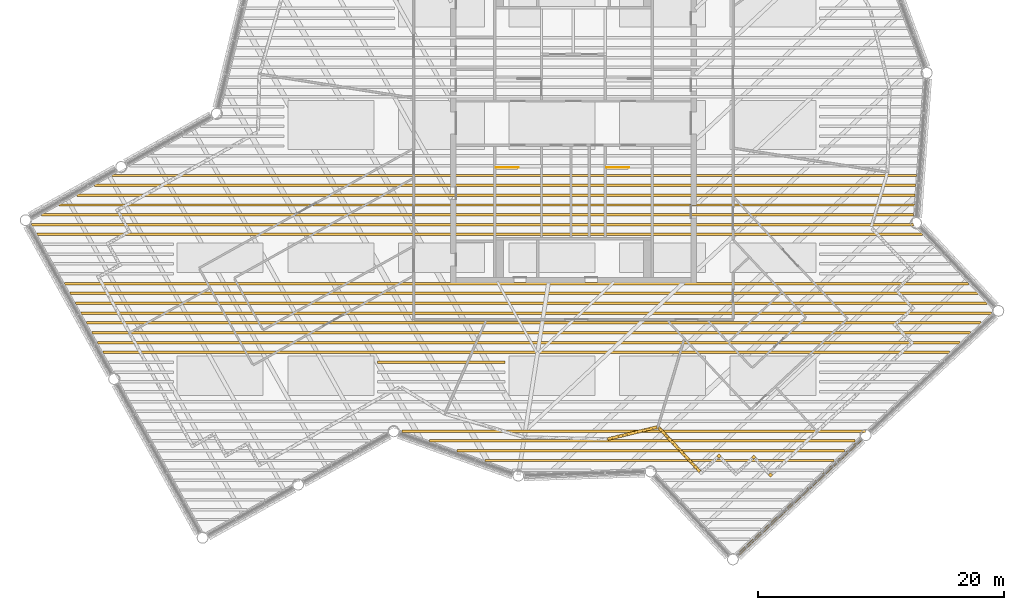
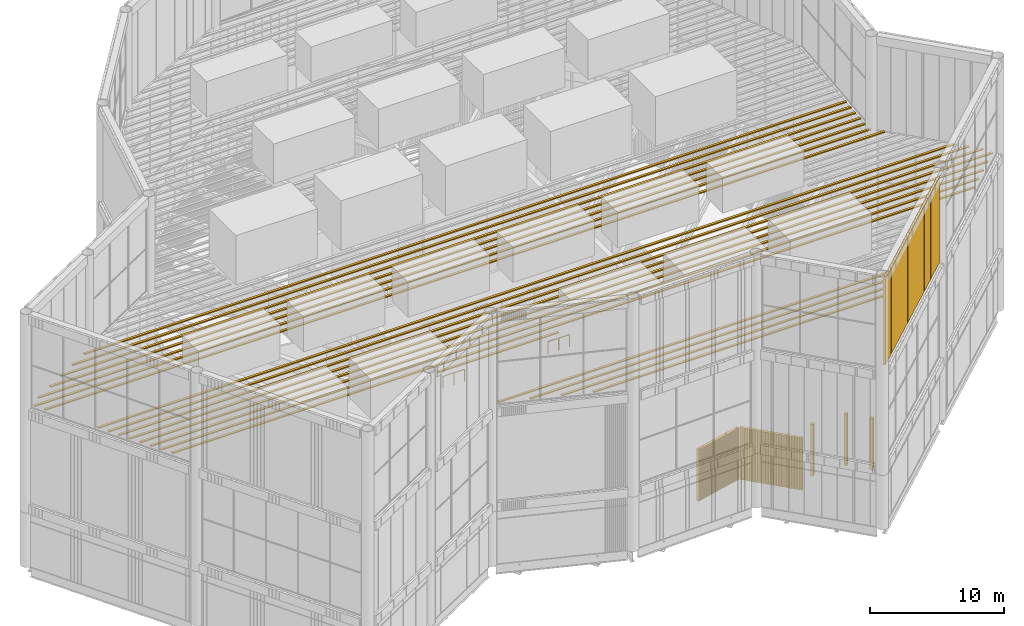
# One storey, part 98 of 117: 25 shading devices, 2 railings, 1 covering.
"""IFC4 building model written with IfcOpenShell, lengths in metres."""

from ifc_helpers import new_model, si_unit, direction, frame, frame_2d, origin, origin_2d, place, context, subcontext, project, spatial, rectangle, circle, composite_profile, extrude, material, type_object, element, save


model = new_model("IFC4")

# Units and contexts
model_context = context("Model", 3, precision=1e-05, world=origin(), true_north=direction((0.0, 1.0)))
body_context = subcontext(model_context, "Body", "Model", "MODEL_VIEW")
ifc_project = project(units=[si_unit("LENGTHUNIT", "METRE"), si_unit("AREAUNIT", "SQUARE_METRE"), si_unit("VOLUMEUNIT", "CUBIC_METRE"), si_unit("PLANEANGLEUNIT", "RADIAN"), si_unit("MASSUNIT", "GRAM", prefix="KILO")], contexts=[model_context])

# Site, building, storey
site_placement = place(None, origin())
site = spatial("IfcSite", under=ifc_project, at=site_placement, CompositionType="ELEMENT")
building_placement = place(site_placement, origin())
building = spatial("IfcBuilding", under=site, at=building_placement, Name="Tarsis Ring Headquarters", CompositionType="ELEMENT")
storey_placement = place(building_placement, frame((0.0, 0.0, 403.60009765625)))
storey = spatial("IfcBuildingStorey", under=building, at=storey_placement, Name="L95", CompositionType="ELEMENT", Elevation=403.60009765625)

# Railings
ifc_material_1 = material(Name="Steel S355", Category="steel")
railing_type = type_object("IfcRailingType", Name="Core stair guard 1100", PredefinedType="GUARDRAIL", material=ifc_material_1)
for number, where, name in (
    (1, (-6.300048828125, -3.610107421875, 0.0), "L95 ST3 top well guard 1"),
    (2, (2.699951171875, -3.610107421875, 0.0), "L95 ST4 top well guard 1"),
):
    element("IfcRailing", number, at=place(storey_placement, frame(where)), inside=storey, type_object=railing_type, Name=name, PredefinedType="GUARDRAIL", context=body_context, shape_type="SweptSolid", body=[
        extrude(circle(Radius=0.02392578125, at=origin_2d()), frame((0.0, 0.0, 1.076171875), z_axis=(1.0, 0.0, 0.0), x_axis=(0.0, 1.0, 0.0)), (0.0, 0.0, 1.0), 1.840087890625),
        extrude(circle(Radius=0.02099609375, at=origin_2d()), origin(), (0.0, 0.0, 1.0), 1.052001953125),
        extrude(circle(Radius=0.02099609375, at=origin_2d()), frame((0.919921875, 0.0, 0.0)), (0.0, 0.0, 1.0), 1.052001953125),
        extrude(circle(Radius=0.02099609375, at=origin_2d()), frame((1.840087890625, 0.0, 0.0)), (0.0, 0.0, 1.0), 1.052001953125),
    ])

# Covering
ifc_material_2 = material(Name="Terracotta louvre", Category="masonry")
covering_type = type_object("IfcCoveringType", Name="Crown louvre fin", PredefinedType="CLADDING", material=ifc_material_2)
covering_placement = place(storey_placement, frame((13.3173828125, -35.205078125, 14.39990234375), z_axis=(0.0, 0.0, 1.0), x_axis=(0.729925980625, 0.683527612216, 0.0)))
element("IfcCovering", 3, at=covering_placement, inside=storey, type_object=covering_type, Name="Crown louvre U3", PredefinedType="CLADDING", context=body_context, shape_type="SweptSolid", body=[
    extrude(composite_profile([rectangle(XDim=0.14501953125, YDim=0.199951171875, at=frame_2d((0.072509765625, 0.0))), rectangle(XDim=0.14501953125, YDim=0.199951171875, at=frame_2d((0.223388671875, 0.0))), rectangle(XDim=0.14501953125, YDim=0.199951171875, at=frame_2d((0.37451171875, 0.0))), rectangle(XDim=0.14501953125, YDim=0.199951171875, at=frame_2d((0.525390625, 0.0))), rectangle(XDim=0.14501953125, YDim=0.199951171875, at=frame_2d((0.676513671875, 0.0))), rectangle(XDim=0.14501953125, YDim=0.199951171875, at=frame_2d((0.827392578125, 0.0))), rectangle(XDim=0.14501953125, YDim=0.199951171875, at=frame_2d((0.978515625, 0.0))), rectangle(XDim=0.14501953125, YDim=0.199951171875, at=frame_2d((1.12939453125, 0.0))), rectangle(XDim=0.14501953125, YDim=0.199951171875, at=frame_2d((1.280517578125, 0.0))), rectangle(XDim=0.14501953125, YDim=0.199951171875, at=frame_2d((1.431396484375, 0.0))), rectangle(XDim=0.14501953125, YDim=0.199951171875, at=frame_2d((1.58251953125, 0.0))), rectangle(XDim=0.14501953125, YDim=0.199951171875, at=frame_2d((1.7333984375, 0.0))), rectangle(XDim=0.14501953125, YDim=0.199951171875, at=frame_2d((1.884521484375, 0.0))), rectangle(XDim=0.14501953125, YDim=0.199951171875, at=frame_2d((2.035400390625, 0.0))), rectangle(XDim=0.14501953125, YDim=0.199951171875, at=frame_2d((2.1865234375, 0.0))), rectangle(XDim=0.14501953125, YDim=0.199951171875, at=frame_2d((2.33740234375, 0.0))), rectangle(XDim=0.14501953125, YDim=0.199951171875, at=frame_2d((2.488525390625, 0.0))), rectangle(XDim=0.14501953125, YDim=0.199951171875, at=frame_2d((2.639404296875, 0.0))), rectangle(XDim=0.14501953125, YDim=0.199951171875, at=frame_2d((2.79052734375, 0.0))), rectangle(XDim=0.14501953125, YDim=0.199951171875, at=frame_2d((2.94140625, 0.0))), rectangle(XDim=0.14501953125, YDim=0.199951171875, at=frame_2d((3.092529296875, 0.0))), rectangle(XDim=0.14501953125, YDim=0.199951171875, at=frame_2d((3.243408203125, 0.0))), rectangle(XDim=0.14501953125, YDim=0.199951171875, at=frame_2d((3.39453125, 0.0))), rectangle(XDim=0.14501953125, YDim=0.199951171875, at=frame_2d((3.54541015625, 0.0))), rectangle(XDim=0.14501953125, YDim=0.199951171875, at=frame_2d((3.696533203125, 0.0))), rectangle(XDim=0.14501953125, YDim=0.199951171875, at=frame_2d((3.847412109375, 0.0))), rectangle(XDim=0.14501953125, YDim=0.199951171875, at=frame_2d((3.99853515625, 0.0))), rectangle(XDim=0.14501953125, YDim=0.199951171875, at=frame_2d((4.1494140625, 0.0))), rectangle(XDim=0.14501953125, YDim=0.199951171875, at=frame_2d((4.300537109375, 0.0))), rectangle(XDim=0.14501953125, YDim=0.199951171875, at=frame_2d((4.451416015625, 0.0))), rectangle(XDim=0.14501953125, YDim=0.199951171875, at=frame_2d((4.6025390625, 0.0))), rectangle(XDim=0.14501953125, YDim=0.199951171875, at=frame_2d((4.75341796875, 0.0))), rectangle(XDim=0.14501953125, YDim=0.199951171875, at=frame_2d((4.904541015625, 0.0))), rectangle(XDim=0.14501953125, YDim=0.199951171875, at=frame_2d((5.055419921875, 0.0))), rectangle(XDim=0.14501953125, YDim=0.199951171875, at=frame_2d((5.20654296875, 0.0))), rectangle(XDim=0.14501953125, YDim=0.199951171875, at=frame_2d((5.357421875, 0.0))), rectangle(XDim=0.14501953125, YDim=0.199951171875, at=frame_2d((5.508544921875, 0.0))), rectangle(XDim=0.14501953125, YDim=0.199951171875, at=frame_2d((5.659423828125, 0.0))), rectangle(XDim=0.14501953125, YDim=0.199951171875, at=frame_2d((5.810546875, 0.0))), rectangle(XDim=0.14501953125, YDim=0.199951171875, at=frame_2d((5.96142578125, 0.0))), rectangle(XDim=0.14501953125, YDim=0.199951171875, at=frame_2d((6.112548828125, 0.0))), rectangle(XDim=0.14501953125, YDim=0.199951171875, at=frame_2d((6.263427734375, 0.0))), rectangle(XDim=0.14501953125, YDim=0.199951171875, at=frame_2d((6.41455078125, 0.0))), rectangle(XDim=0.14501953125, YDim=0.199951171875, at=frame_2d((6.5654296875, 0.0))), rectangle(XDim=0.14501953125, YDim=0.199951171875, at=frame_2d((6.716552734375, 0.0))), rectangle(XDim=0.14501953125, YDim=0.199951171875, at=frame_2d((6.867431640625, 0.0))), rectangle(XDim=0.14501953125, YDim=0.199951171875, at=frame_2d((7.0185546875, 0.0))), rectangle(XDim=0.14501953125, YDim=0.199951171875, at=frame_2d((7.16943359375, 0.0))), rectangle(XDim=0.14501953125, YDim=0.199951171875, at=frame_2d((7.320556640625, 0.0))), rectangle(XDim=0.14501953125, YDim=0.199951171875, at=frame_2d((7.471435546875, 0.0))), rectangle(XDim=0.14501953125, YDim=0.199951171875, at=frame_2d((7.62255859375, 0.0))), rectangle(XDim=0.14501953125, YDim=0.199951171875, at=frame_2d((7.7734375, 0.0))), rectangle(XDim=0.14501953125, YDim=0.199951171875, at=frame_2d((7.924560546875, 0.0))), rectangle(XDim=0.14501953125, YDim=0.199951171875, at=frame_2d((8.075439453125, 0.0))), rectangle(XDim=0.14501953125, YDim=0.199951171875, at=frame_2d((8.2265625, 0.0))), rectangle(XDim=0.14501953125, YDim=0.199951171875, at=frame_2d((8.37744140625, 0.0))), rectangle(XDim=0.14501953125, YDim=0.199951171875, at=frame_2d((8.528564453125, 0.0))), rectangle(XDim=0.14501953125, YDim=0.199951171875, at=frame_2d((8.679443359375, 0.0))), rectangle(XDim=0.14501953125, YDim=0.199951171875, at=frame_2d((8.83056640625, 0.0))), rectangle(XDim=0.14501953125, YDim=0.199951171875, at=frame_2d((8.9814453125, 0.0))), rectangle(XDim=0.14501953125, YDim=0.199951171875, at=frame_2d((9.132568359375, 0.0))), rectangle(XDim=0.14501953125, YDim=0.199951171875, at=frame_2d((9.283447265625, 0.0))), rectangle(XDim=0.14501953125, YDim=0.199951171875, at=frame_2d((9.4345703125, 0.0))), rectangle(XDim=0.14501953125, YDim=0.199951171875, at=frame_2d((9.58544921875, 0.0))), rectangle(XDim=0.14501953125, YDim=0.199951171875, at=frame_2d((9.736572265625, 0.0))), rectangle(XDim=0.14501953125, YDim=0.199951171875, at=frame_2d((9.887451171875, 0.0))), rectangle(XDim=0.14501953125, YDim=0.199951171875, at=frame_2d((10.03857421875, 0.0))), rectangle(XDim=0.14501953125, YDim=0.199951171875, at=frame_2d((10.189453125, 0.0))), rectangle(XDim=0.14501953125, YDim=0.199951171875, at=frame_2d((10.340576171875, 0.0))), rectangle(XDim=0.14501953125, YDim=0.199951171875, at=frame_2d((10.491455078125, 0.0))), rectangle(XDim=0.14501953125, YDim=0.199951171875, at=frame_2d((10.642578125, 0.0))), rectangle(XDim=0.14501953125, YDim=0.199951171875, at=frame_2d((10.79345703125, 0.0))), rectangle(XDim=0.14501953125, YDim=0.199951171875, at=frame_2d((10.944580078125, 0.0))), rectangle(XDim=0.14501953125, YDim=0.199951171875, at=frame_2d((11.095458984375, 0.0))), rectangle(XDim=0.14501953125, YDim=0.199951171875, at=frame_2d((11.24658203125, 0.0))), rectangle(XDim=0.14501953125, YDim=0.199951171875, at=frame_2d((11.3974609375, 0.0))), rectangle(XDim=0.14501953125, YDim=0.199951171875, at=frame_2d((11.548583984375, 0.0))), rectangle(XDim=0.14501953125, YDim=0.199951171875, at=frame_2d((11.699462890625, 0.0))), rectangle(XDim=0.14501953125, YDim=0.199951171875, at=frame_2d((11.8505859375, 0.0))), rectangle(XDim=0.14501953125, YDim=0.199951171875, at=frame_2d((12.00146484375, 0.0))), rectangle(XDim=0.14501953125, YDim=0.199951171875, at=frame_2d((12.152587890625, 0.0))), rectangle(XDim=0.14501953125, YDim=0.199951171875, at=frame_2d((12.303466796875, 0.0))), rectangle(XDim=0.14501953125, YDim=0.199951171875, at=frame_2d((12.45458984375, 0.0))), rectangle(XDim=0.14501953125, YDim=0.199951171875, at=frame_2d((12.60546875, 0.0))), rectangle(XDim=0.14501953125, YDim=0.199951171875, at=frame_2d((12.756591796875, 0.0))), rectangle(XDim=0.14501953125, YDim=0.199951171875, at=frame_2d((12.907470703125, 0.0))), rectangle(XDim=0.14501953125, YDim=0.199951171875, at=frame_2d((13.05859375, 0.0))), rectangle(XDim=0.14501953125, YDim=0.199951171875, at=frame_2d((13.20947265625, 0.0))), rectangle(XDim=0.14501953125, YDim=0.199951171875, at=frame_2d((13.360595703125, 0.0))), rectangle(XDim=0.14501953125, YDim=0.199951171875, at=frame_2d((13.511474609375, 0.0))), rectangle(XDim=0.14501953125, YDim=0.199951171875, at=frame_2d((13.66259765625, 0.0))), rectangle(XDim=0.14501953125, YDim=0.199951171875, at=frame_2d((13.8134765625, 0.0)))]), origin(), (0.0, 0.0, 1.0), 7.800048828125),
])

# Shading devices
ifc_material_3 = material(Name="Aluminium louvre", Category="aluminium")
shading_device_type_1 = type_object("IfcShadingDeviceType", Name="Crown roof louvre blade", PredefinedType="USERDEFINED", material=ifc_material_3)
shading_device_1_placement = place(storey_placement, frame((7.001220703125, -27.464111328125, 14.39990234375), z_axis=(0.0, 0.0, 1.0), x_axis=(1.0, 0.0, 0.0)))
element("IfcShadingDevice", 4, at=shading_device_1_placement, inside=storey, type_object=shading_device_type_1, Name="Crown roof louvre 17", ObjectType="Crown roof louvre", PredefinedType="USERDEFINED", context=body_context, shape_type="SweptSolid", body=[
    extrude(rectangle(XDim=28.433837890625, YDim=0.199951171875, at=origin_2d()), origin(), (0.0, 0.0, 1.0), 0.10009765625),
])
shading_device_2_placement = place(storey_placement, frame((6.302978515625, -26.664306640625, 14.39990234375), z_axis=(0.0, 0.0, 1.0), x_axis=(1.0, 0.0, 0.0)))
element("IfcShadingDevice", 5, at=shading_device_2_placement, inside=storey, type_object=shading_device_type_1, Name="Crown roof louvre 19", ObjectType="Crown roof louvre", PredefinedType="USERDEFINED", context=body_context, shape_type="SweptSolid", body=[
    extrude(rectangle(XDim=31.539306640625, YDim=0.199951171875, at=origin_2d()), origin(), (0.0, 0.0, 1.0), 0.10009765625),
])
shading_device_3_placement = place(storey_placement, frame((5.6044921875, -25.8642578125, 14.39990234375), z_axis=(0.0, 0.0, 1.0), x_axis=(1.0, 0.0, 0.0)))
element("IfcShadingDevice", 6, at=shading_device_3_placement, inside=storey, type_object=shading_device_type_1, Name="Crown roof louvre 21", ObjectType="Crown roof louvre", PredefinedType="USERDEFINED", context=body_context, shape_type="SweptSolid", body=[
    extrude(rectangle(XDim=34.64453125, YDim=0.199951171875, at=origin_2d()), origin(), (0.0, 0.0, 1.0), 0.10009765625),
])
shading_device_4_placement = place(storey_placement, frame((4.90625, -25.064208984375, 14.39990234375), z_axis=(0.0, 0.0, 1.0), x_axis=(1.0, 0.0, 0.0)))
element("IfcShadingDevice", 7, at=shading_device_4_placement, inside=storey, type_object=shading_device_type_1, Name="Crown roof louvre 23", ObjectType="Crown roof louvre", PredefinedType="USERDEFINED", context=body_context, shape_type="SweptSolid", body=[
    extrude(rectangle(XDim=37.749755859375, YDim=0.199951171875, at=origin_2d()), origin(), (0.0, 0.0, 1.0), 0.10009765625),
])
shading_device_5_placement = place(storey_placement, frame((-10.75244140625, -19.464111328125, 14.39990234375), z_axis=(0.0, 0.0, 1.0), x_axis=(1.0, 0.0, 0.0)))
element("IfcShadingDevice", 8, at=shading_device_5_placement, inside=storey, type_object=shading_device_type_1, Name="Crown roof louvre 37", ObjectType="Crown roof louvre", PredefinedType="USERDEFINED", context=body_context, shape_type="SweptSolid", body=[
    extrude(rectangle(XDim=10.39990234375, YDim=0.199951171875, at=origin_2d()), origin(), (0.0, 0.0, 1.0), 0.10009765625),
])
shading_device_6_placement = place(storey_placement, frame((-3.846923828125, -18.664306640625, 14.39990234375), z_axis=(0.0, 0.0, 1.0), x_axis=(1.0, 0.0, 0.0)))
element("IfcShadingDevice", 9, at=shading_device_6_placement, inside=storey, type_object=shading_device_type_1, Name="Crown roof louvre 39", ObjectType="Crown roof louvre", PredefinedType="USERDEFINED", context=body_context, shape_type="SweptSolid", body=[
    extrude(rectangle(XDim=68.925048828125, YDim=0.199951171875, at=origin_2d()), origin(), (0.0, 0.0, 1.0), 0.10009765625),
])
shading_device_7_placement = place(storey_placement, frame((-3.642578125, -17.8642578125, 14.39990234375), z_axis=(0.0, 0.0, 1.0), x_axis=(1.0, 0.0, 0.0)))
element("IfcShadingDevice", 10, at=shading_device_7_placement, inside=storey, type_object=shading_device_type_1, Name="Crown roof louvre 40", ObjectType="Crown roof louvre", PredefinedType="USERDEFINED", context=body_context, shape_type="SweptSolid", body=[
    extrude(rectangle(XDim=70.224853515625, YDim=0.199951171875, at=origin_2d()), origin(), (0.0, 0.0, 1.0), 0.10009765625),
])
shading_device_8_placement = place(storey_placement, frame((-3.438232421875, -17.064208984375, 14.39990234375), z_axis=(0.0, 0.0, 1.0), x_axis=(1.0, 0.0, 0.0)))
element("IfcShadingDevice", 11, at=shading_device_8_placement, inside=storey, type_object=shading_device_type_1, Name="Crown roof louvre 41", ObjectType="Crown roof louvre", PredefinedType="USERDEFINED", context=body_context, shape_type="SweptSolid", body=[
    extrude(rectangle(XDim=71.52490234375, YDim=0.199951171875, at=origin_2d()), origin(), (0.0, 0.0, 1.0), 0.10009765625),
])
shading_device_9_placement = place(storey_placement, frame((-3.23388671875, -16.26416015625, 14.39990234375), z_axis=(0.0, 0.0, 1.0), x_axis=(1.0, 0.0, 0.0)))
element("IfcShadingDevice", 12, at=shading_device_9_placement, inside=storey, type_object=shading_device_type_1, Name="Crown roof louvre 42", ObjectType="Crown roof louvre", PredefinedType="USERDEFINED", context=body_context, shape_type="SweptSolid", body=[
    extrude(rectangle(XDim=72.82470703125, YDim=0.199951171875, at=origin_2d()), origin(), (0.0, 0.0, 1.0), 0.10009765625),
])
shading_device_10_placement = place(storey_placement, frame((-3.02978515625, -15.464111328125, 14.39990234375), z_axis=(0.0, 0.0, 1.0), x_axis=(1.0, 0.0, 0.0)))
element("IfcShadingDevice", 13, at=shading_device_10_placement, inside=storey, type_object=shading_device_type_1, Name="Crown roof louvre 43", ObjectType="Crown roof louvre", PredefinedType="USERDEFINED", context=body_context, shape_type="SweptSolid", body=[
    extrude(rectangle(XDim=74.124755859375, YDim=0.199951171875, at=origin_2d()), origin(), (0.0, 0.0, 1.0), 0.10009765625),
])
shading_device_11_placement = place(storey_placement, frame((-3.43603515625, -14.664306640625, 14.39990234375), z_axis=(0.0, 0.0, 1.0), x_axis=(1.0, 0.0, 0.0)))
element("IfcShadingDevice", 14, at=shading_device_11_placement, inside=storey, type_object=shading_device_type_1, Name="Crown roof louvre 44", ObjectType="Crown roof louvre", PredefinedType="USERDEFINED", context=body_context, shape_type="SweptSolid", body=[
    extrude(rectangle(XDim=74.203369140625, YDim=0.199951171875, at=origin_2d()), origin(), (0.0, 0.0, 1.0), 0.10009765625),
])
shading_device_12_placement = place(storey_placement, frame((-4.033447265625, -13.8642578125, 14.39990234375), z_axis=(0.0, 0.0, 1.0), x_axis=(1.0, 0.0, 0.0)))
element("IfcShadingDevice", 15, at=shading_device_12_placement, inside=storey, type_object=shading_device_type_1, Name="Crown roof louvre 45", ObjectType="Crown roof louvre", PredefinedType="USERDEFINED", context=body_context, shape_type="SweptSolid", body=[
    extrude(rectangle(XDim=73.89990234375, YDim=0.199951171875, at=origin_2d()), origin(), (0.0, 0.0, 1.0), 0.10009765625),
])
shading_device_13_placement = place(storey_placement, frame((-4.630859375, -13.064208984375, 14.39990234375), z_axis=(0.0, 0.0, 1.0), x_axis=(1.0, 0.0, 0.0)))
element("IfcShadingDevice", 16, at=shading_device_13_placement, inside=storey, type_object=shading_device_type_1, Name="Crown roof louvre 46", ObjectType="Crown roof louvre", PredefinedType="USERDEFINED", context=body_context, shape_type="SweptSolid", body=[
    extrude(rectangle(XDim=73.596435546875, YDim=0.199951171875, at=origin_2d()), origin(), (0.0, 0.0, 1.0), 0.10009765625),
])
shading_device_14_placement = place(storey_placement, frame((-7.61767578125, -9.064208984375, 14.39990234375), z_axis=(0.0, 0.0, 1.0), x_axis=(1.0, 0.0, 0.0)))
element("IfcShadingDevice", 17, at=shading_device_14_placement, inside=storey, type_object=shading_device_type_1, Name="Crown roof louvre 55", ObjectType="Crown roof louvre", PredefinedType="USERDEFINED", context=body_context, shape_type="SweptSolid", body=[
    extrude(rectangle(XDim=72.078857421875, YDim=0.199951171875, at=origin_2d()), origin(), (0.0, 0.0, 1.0), 0.10009765625),
])
shading_device_15_placement = place(storey_placement, frame((-8.215087890625, -8.26416015625, 14.39990234375), z_axis=(0.0, 0.0, 1.0), x_axis=(1.0, 0.0, 0.0)))
element("IfcShadingDevice", 18, at=shading_device_15_placement, inside=storey, type_object=shading_device_type_1, Name="Crown roof louvre 56", ObjectType="Crown roof louvre", PredefinedType="USERDEFINED", context=body_context, shape_type="SweptSolid", body=[
    extrude(rectangle(XDim=71.775390625, YDim=0.199951171875, at=origin_2d()), origin(), (0.0, 0.0, 1.0), 0.10009765625),
])
shading_device_16_placement = place(storey_placement, frame((-7.806884765625, -7.464111328125, 14.39990234375), z_axis=(0.0, 0.0, 1.0), x_axis=(1.0, 0.0, 0.0)))
element("IfcShadingDevice", 19, at=shading_device_16_placement, inside=storey, type_object=shading_device_type_1, Name="Crown roof louvre 57", ObjectType="Crown roof louvre", PredefinedType="USERDEFINED", context=body_context, shape_type="SweptSolid", body=[
    extrude(rectangle(XDim=70.983154296875, YDim=0.199951171875, at=origin_2d()), origin(), (0.0, 0.0, 1.0), 0.10009765625),
])
shading_device_17_placement = place(storey_placement, frame((-7.060302734375, -6.664306640625, 14.39990234375), z_axis=(0.0, 0.0, 1.0), x_axis=(1.0, 0.0, 0.0)))
element("IfcShadingDevice", 20, at=shading_device_17_placement, inside=storey, type_object=shading_device_type_1, Name="Crown roof louvre 58", ObjectType="Crown roof louvre", PredefinedType="USERDEFINED", context=body_context, shape_type="SweptSolid", body=[
    extrude(rectangle(XDim=69.60400390625, YDim=0.199951171875, at=origin_2d()), origin(), (0.0, 0.0, 1.0), 0.10009765625),
])
shading_device_18_placement = place(storey_placement, frame((-6.313720703125, -5.8642578125, 14.39990234375), z_axis=(0.0, 0.0, 1.0), x_axis=(1.0, 0.0, 0.0)))
element("IfcShadingDevice", 21, at=shading_device_18_placement, inside=storey, type_object=shading_device_type_1, Name="Crown roof louvre 59", ObjectType="Crown roof louvre", PredefinedType="USERDEFINED", context=body_context, shape_type="SweptSolid", body=[
    extrude(rectangle(XDim=68.22509765625, YDim=0.199951171875, at=origin_2d()), origin(), (0.0, 0.0, 1.0), 0.10009765625),
])
shading_device_19_placement = place(storey_placement, frame((-5.567138671875, -5.064208984375, 14.39990234375), z_axis=(0.0, 0.0, 1.0), x_axis=(1.0, 0.0, 0.0)))
element("IfcShadingDevice", 22, at=shading_device_19_placement, inside=storey, type_object=shading_device_type_1, Name="Crown roof louvre 60", ObjectType="Crown roof louvre", PredefinedType="USERDEFINED", context=body_context, shape_type="SweptSolid", body=[
    extrude(rectangle(XDim=66.845947265625, YDim=0.199951171875, at=origin_2d()), origin(), (0.0, 0.0, 1.0), 0.10009765625),
])
shading_device_20_placement = place(storey_placement, frame((-4.820556640625, -4.26416015625, 14.39990234375), z_axis=(0.0, 0.0, 1.0), x_axis=(1.0, 0.0, 0.0)))
element("IfcShadingDevice", 23, at=shading_device_20_placement, inside=storey, type_object=shading_device_type_1, Name="Crown roof louvre 61", ObjectType="Crown roof louvre", PredefinedType="USERDEFINED", context=body_context, shape_type="SweptSolid", body=[
    extrude(rectangle(XDim=65.466796875, YDim=0.199951171875, at=origin_2d()), origin(), (0.0, 0.0, 1.0), 0.10009765625),
])
shading_device_type_2 = type_object("IfcShadingDeviceType", Name="Plant louvre fin", PredefinedType="USERDEFINED", material=ifc_material_3)
shading_device_21_placement = place(storey_placement, frame((2.7744140625, -25.72265625, 0.0), z_axis=(0.0, 0.0, 1.0), x_axis=(0.971873165003, 0.235466823253, 0.0)))
element("IfcShadingDevice", 24, at=shading_device_21_placement, inside=storey, type_object=shading_device_type_2, Name="Louvre L95-05", ObjectType="Louvre", PredefinedType="USERDEFINED", context=body_context, shape_type="SweptSolid", body=[
    extrude(composite_profile([rectangle(XDim=0.1201171875, YDim=0.239990234375, at=frame_2d((0.076171875, 0.0), x_axis=(0.990268068742, 0.13917310096))), rectangle(XDim=0.1201171875, YDim=0.239990234375, at=frame_2d((0.201416015625, 0.0), x_axis=(0.990268068742, 0.13917310096))), rectangle(XDim=0.1201171875, YDim=0.239990234375, at=frame_2d((0.326416015625, 0.0), x_axis=(0.990268068742, 0.13917310096))), rectangle(XDim=0.1201171875, YDim=0.239990234375, at=frame_2d((0.45166015625, 0.0), x_axis=(0.990268068742, 0.13917310096))), rectangle(XDim=0.1201171875, YDim=0.239990234375, at=frame_2d((0.576904296875, 0.0), x_axis=(0.990268068742, 0.13917310096))), rectangle(XDim=0.1201171875, YDim=0.239990234375, at=frame_2d((0.701904296875, 0.0), x_axis=(0.990268068742, 0.13917310096))), rectangle(XDim=0.1201171875, YDim=0.239990234375, at=frame_2d((0.8271484375, 0.0), x_axis=(0.990268068742, 0.13917310096))), rectangle(XDim=0.1201171875, YDim=0.239990234375, at=frame_2d((0.952392578125, 0.0), x_axis=(0.990268068742, 0.13917310096))), rectangle(XDim=0.1201171875, YDim=0.239990234375, at=frame_2d((1.07763671875, 0.0), x_axis=(0.990268068742, 0.13917310096))), rectangle(XDim=0.1201171875, YDim=0.239990234375, at=frame_2d((1.20263671875, 0.0), x_axis=(0.990268068742, 0.13917310096))), rectangle(XDim=0.1201171875, YDim=0.239990234375, at=frame_2d((1.327880859375, 0.0), x_axis=(0.990268068742, 0.13917310096))), rectangle(XDim=0.1201171875, YDim=0.239990234375, at=frame_2d((1.453125, 0.0), x_axis=(0.990268068742, 0.13917310096))), rectangle(XDim=0.1201171875, YDim=0.239990234375, at=frame_2d((1.578125, 0.0), x_axis=(0.990268068742, 0.13917310096))), rectangle(XDim=0.1201171875, YDim=0.239990234375, at=frame_2d((1.703369140625, 0.0), x_axis=(0.990268068742, 0.13917310096))), rectangle(XDim=0.1201171875, YDim=0.239990234375, at=frame_2d((1.82861328125, 0.0), x_axis=(0.990268068742, 0.13917310096))), rectangle(XDim=0.1201171875, YDim=0.239990234375, at=frame_2d((1.95361328125, 0.0), x_axis=(0.990268068742, 0.13917310096))), rectangle(XDim=0.1201171875, YDim=0.239990234375, at=frame_2d((2.078857421875, 0.0), x_axis=(0.990268068742, 0.13917310096))), rectangle(XDim=0.1201171875, YDim=0.239990234375, at=frame_2d((2.2041015625, 0.0), x_axis=(0.990268068742, 0.13917310096))), rectangle(XDim=0.1201171875, YDim=0.239990234375, at=frame_2d((2.3291015625, 0.0), x_axis=(0.990268068742, 0.13917310096))), rectangle(XDim=0.1201171875, YDim=0.239990234375, at=frame_2d((2.454345703125, 0.0), x_axis=(0.990268068742, 0.13917310096))), rectangle(XDim=0.1201171875, YDim=0.239990234375, at=frame_2d((2.57958984375, 0.0), x_axis=(0.990268068742, 0.13917310096))), rectangle(XDim=0.1201171875, YDim=0.239990234375, at=frame_2d((2.70458984375, 0.0), x_axis=(0.990268068742, 0.13917310096))), rectangle(XDim=0.1201171875, YDim=0.239990234375, at=frame_2d((2.829833984375, 0.0), x_axis=(0.990268068742, 0.13917310096))), rectangle(XDim=0.1201171875, YDim=0.239990234375, at=frame_2d((2.955078125, 0.0), x_axis=(0.990268068742, 0.13917310096))), rectangle(XDim=0.1201171875, YDim=0.239990234375, at=frame_2d((3.080078125, 0.0), x_axis=(0.990268068742, 0.13917310096))), rectangle(XDim=0.1201171875, YDim=0.239990234375, at=frame_2d((3.205322265625, 0.0), x_axis=(0.990268068742, 0.13917310096))), rectangle(XDim=0.1201171875, YDim=0.239990234375, at=frame_2d((3.33056640625, 0.0), x_axis=(0.990268068742, 0.13917310096))), rectangle(XDim=0.1201171875, YDim=0.239990234375, at=frame_2d((3.455810546875, 0.0), x_axis=(0.990268068742, 0.13917310096))), rectangle(XDim=0.1201171875, YDim=0.239990234375, at=frame_2d((3.580810546875, 0.0), x_axis=(0.990268068742, 0.13917310096))), rectangle(XDim=0.1201171875, YDim=0.239990234375, at=frame_2d((3.7060546875, 0.0), x_axis=(0.990268068742, 0.13917310096))), rectangle(XDim=0.1201171875, YDim=0.239990234375, at=frame_2d((3.831298828125, 0.0), x_axis=(0.990268068742, 0.13917310096))), rectangle(XDim=0.1201171875, YDim=0.239990234375, at=frame_2d((3.956298828125, 0.0), x_axis=(0.990268068742, 0.13917310096))), rectangle(XDim=0.1201171875, YDim=0.239990234375, at=frame_2d((4.08154296875, 0.0), x_axis=(0.990268068742, 0.13917310096)))]), origin(), (0.0, 0.0, 1.0), 4.699951171875),
])
shading_device_22_placement = place(storey_placement, frame((6.935791015625, -24.779541015625, 0.0), z_axis=(0.0, 0.0, 1.0), x_axis=(0.683497842369, -0.729924110907, 0.0)))
element("IfcShadingDevice", 25, at=shading_device_22_placement, inside=storey, type_object=shading_device_type_2, Name="Louvre L95-06", ObjectType="Louvre", PredefinedType="USERDEFINED", context=body_context, shape_type="SweptSolid", body=[
    extrude(composite_profile([rectangle(XDim=0.1201171875, YDim=0.239990234375, at=frame_2d((0.076171875, 0.0), x_axis=(0.990268068742, 0.13917310096))), rectangle(XDim=0.1201171875, YDim=0.239990234375, at=frame_2d((0.20166015625, 0.0), x_axis=(0.990268068742, 0.13917310096))), rectangle(XDim=0.1201171875, YDim=0.239990234375, at=frame_2d((0.3271484375, 0.0), x_axis=(0.990268068742, 0.13917310096))), rectangle(XDim=0.1201171875, YDim=0.239990234375, at=frame_2d((0.45263671875, 0.0), x_axis=(0.990268068742, 0.13917310096))), rectangle(XDim=0.1201171875, YDim=0.239990234375, at=frame_2d((0.578369140625, 0.0), x_axis=(0.990268068742, 0.13917310096))), rectangle(XDim=0.1201171875, YDim=0.239990234375, at=frame_2d((0.703857421875, 0.0), x_axis=(0.990268068742, 0.13917310096))), rectangle(XDim=0.1201171875, YDim=0.239990234375, at=frame_2d((0.829345703125, 0.0), x_axis=(0.990268068742, 0.13917310096))), rectangle(XDim=0.1201171875, YDim=0.239990234375, at=frame_2d((0.954833984375, 0.0), x_axis=(0.990268068742, 0.13917310096))), rectangle(XDim=0.1201171875, YDim=0.239990234375, at=frame_2d((1.080322265625, 0.0), x_axis=(0.990268068742, 0.13917310096))), rectangle(XDim=0.1201171875, YDim=0.239990234375, at=frame_2d((1.205810546875, 0.0), x_axis=(0.990268068742, 0.13917310096))), rectangle(XDim=0.1201171875, YDim=0.239990234375, at=frame_2d((1.331298828125, 0.0), x_axis=(0.990268068742, 0.13917310096))), rectangle(XDim=0.1201171875, YDim=0.239990234375, at=frame_2d((1.456787109375, 0.0), x_axis=(0.990268068742, 0.13917310096))), rectangle(XDim=0.1201171875, YDim=0.239990234375, at=frame_2d((1.58251953125, 0.0), x_axis=(0.990268068742, 0.13917310096))), rectangle(XDim=0.1201171875, YDim=0.239990234375, at=frame_2d((1.7080078125, 0.0), x_axis=(0.990268068742, 0.13917310096))), rectangle(XDim=0.1201171875, YDim=0.239990234375, at=frame_2d((1.83349609375, 0.0), x_axis=(0.990268068742, 0.13917310096))), rectangle(XDim=0.1201171875, YDim=0.239990234375, at=frame_2d((1.958984375, 0.0), x_axis=(0.990268068742, 0.13917310096))), rectangle(XDim=0.1201171875, YDim=0.239990234375, at=frame_2d((2.08447265625, 0.0), x_axis=(0.990268068742, 0.13917310096))), rectangle(XDim=0.1201171875, YDim=0.239990234375, at=frame_2d((2.2099609375, 0.0), x_axis=(0.990268068742, 0.13917310096))), rectangle(XDim=0.1201171875, YDim=0.239990234375, at=frame_2d((2.33544921875, 0.0), x_axis=(0.990268068742, 0.13917310096))), rectangle(XDim=0.1201171875, YDim=0.239990234375, at=frame_2d((2.461181640625, 0.0), x_axis=(0.990268068742, 0.13917310096))), rectangle(XDim=0.1201171875, YDim=0.239990234375, at=frame_2d((2.586669921875, 0.0), x_axis=(0.990268068742, 0.13917310096))), rectangle(XDim=0.1201171875, YDim=0.239990234375, at=frame_2d((2.712158203125, 0.0), x_axis=(0.990268068742, 0.13917310096))), rectangle(XDim=0.1201171875, YDim=0.239990234375, at=frame_2d((2.837646484375, 0.0), x_axis=(0.990268068742, 0.13917310096))), rectangle(XDim=0.1201171875, YDim=0.239990234375, at=frame_2d((2.963134765625, 0.0), x_axis=(0.990268068742, 0.13917310096))), rectangle(XDim=0.1201171875, YDim=0.239990234375, at=frame_2d((3.088623046875, 0.0), x_axis=(0.990268068742, 0.13917310096))), rectangle(XDim=0.1201171875, YDim=0.239990234375, at=frame_2d((3.214111328125, 0.0), x_axis=(0.990268068742, 0.13917310096))), rectangle(XDim=0.1201171875, YDim=0.239990234375, at=frame_2d((3.339599609375, 0.0), x_axis=(0.990268068742, 0.13917310096))), rectangle(XDim=0.1201171875, YDim=0.239990234375, at=frame_2d((3.46533203125, 0.0), x_axis=(0.990268068742, 0.13917310096))), rectangle(XDim=0.1201171875, YDim=0.239990234375, at=frame_2d((3.5908203125, 0.0), x_axis=(0.990268068742, 0.13917310096))), rectangle(XDim=0.1201171875, YDim=0.239990234375, at=frame_2d((3.71630859375, 0.0), x_axis=(0.990268068742, 0.13917310096))), rectangle(XDim=0.1201171875, YDim=0.239990234375, at=frame_2d((3.841796875, 0.0), x_axis=(0.990268068742, 0.13917310096))), rectangle(XDim=0.1201171875, YDim=0.239990234375, at=frame_2d((3.96728515625, 0.0), x_axis=(0.990268068742, 0.13917310096))), rectangle(XDim=0.1201171875, YDim=0.239990234375, at=frame_2d((4.0927734375, 0.0), x_axis=(0.990268068742, 0.13917310096))), rectangle(XDim=0.1201171875, YDim=0.239990234375, at=frame_2d((4.21826171875, 0.0), x_axis=(0.990268068742, 0.13917310096))), rectangle(XDim=0.1201171875, YDim=0.239990234375, at=frame_2d((4.34375, 0.0), x_axis=(0.990268068742, 0.13917310096))), rectangle(XDim=0.1201171875, YDim=0.239990234375, at=frame_2d((4.469482421875, 0.0), x_axis=(0.990268068742, 0.13917310096))), rectangle(XDim=0.1201171875, YDim=0.239990234375, at=frame_2d((4.594970703125, 0.0), x_axis=(0.990268068742, 0.13917310096))), rectangle(XDim=0.1201171875, YDim=0.239990234375, at=frame_2d((4.720458984375, 0.0), x_axis=(0.990268068742, 0.13917310096))), rectangle(XDim=0.1201171875, YDim=0.239990234375, at=frame_2d((4.845947265625, 0.0), x_axis=(0.990268068742, 0.13917310096)))]), origin(), (0.0, 0.0, 1.0), 4.699951171875),
])
ifc_material_4 = material(Name="Terracotta baguette", Category="masonry")
shading_device_type_3 = type_object("IfcShadingDeviceType", Name="Terracotta corner baguette 250x250", PredefinedType="USERDEFINED", material=ifc_material_4)
for number, where, z_axis, x_axis, name in (
    (26, (11.845458984375, -27.096435546875, 0.0), (0.0, 0.0, 1.0), (0.729923676881, 0.683528657723, 0.0), "Corner baguette L95-08"),
    (27, (14.67236328125, -27.189208984375, 0.0), (0.0, 0.0, 1.0), (0.729923653022, 0.683528683202, 0.0), "Corner baguette L95-10"),
    (28, (16.039306640625, -28.649169921875, 0.0), (0.0, 0.0, 1.0), (0.683528148139, -0.729924154074, 0.0), "Corner baguette L95-11"),
):
    element("IfcShadingDevice", number, at=place(storey_placement, frame(where, z_axis=z_axis, x_axis=x_axis)), inside=storey, type_object=shading_device_type_3, Name=name, ObjectType="Terracotta corner baguette", PredefinedType="USERDEFINED", context=body_context, shape_type="SweptSolid", body=[
        extrude(rectangle(XDim=0.25, YDim=0.25, at=origin_2d()), origin(), (0.0, 0.0, 1.0), 4.699951171875),
    ])

save(model, "model.ifc")
